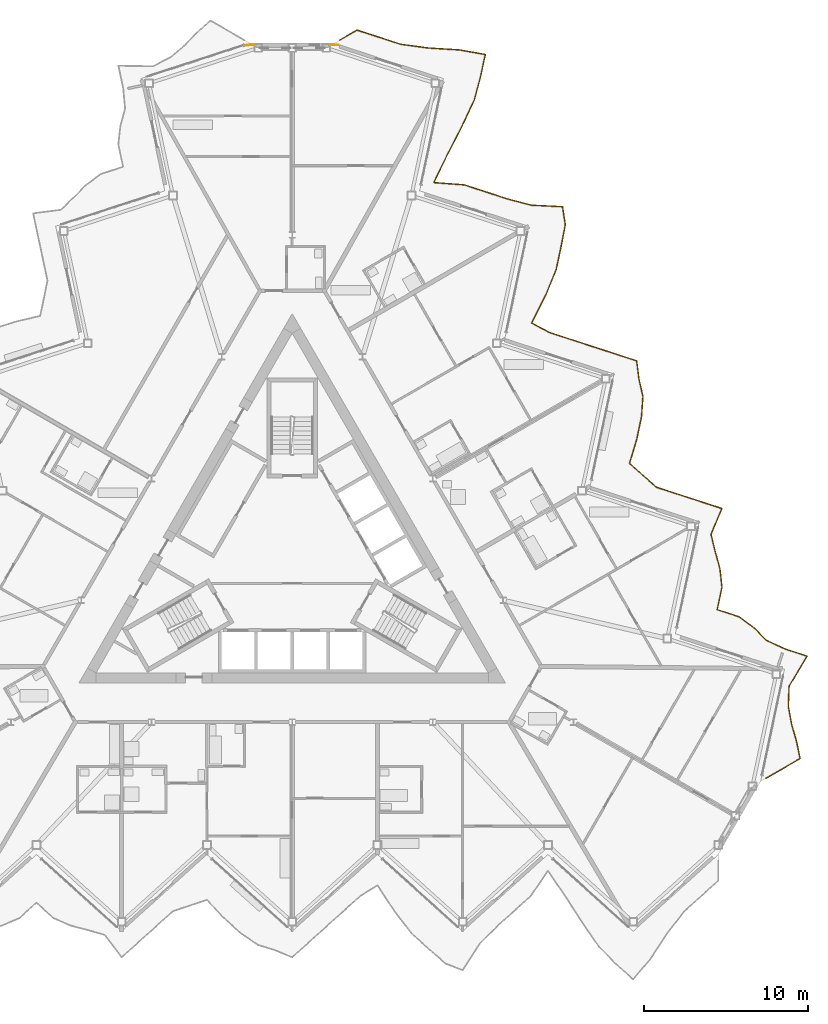
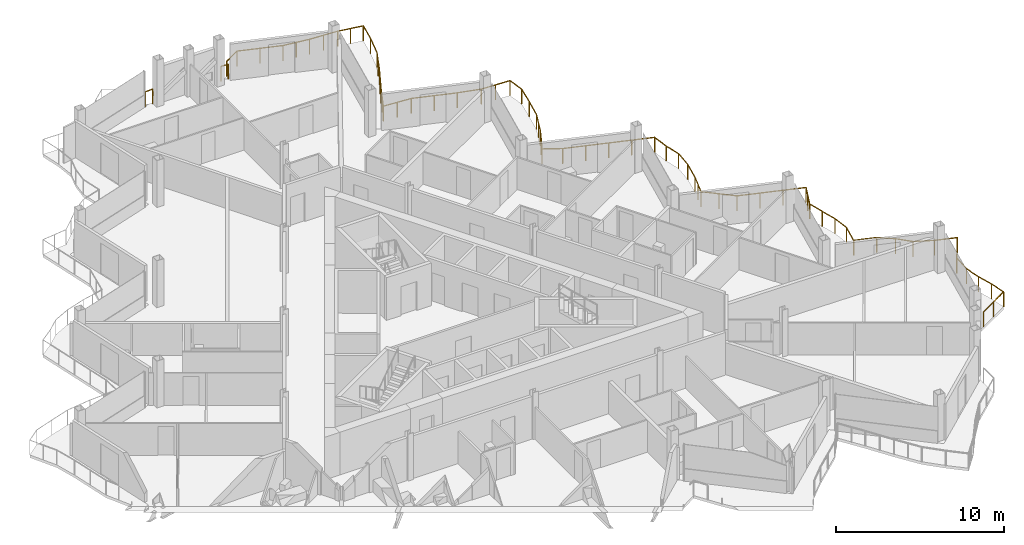
# One storey, part 24 of 26: 3 railings.
"""IFC4 building model written with IfcOpenShell, lengths in metres."""

import ifcopenshell
import ifcopenshell.guid

model = None  # the IFC model being written
_history = None  # IfcOwnerHistory: only IFC2X3 demands one
_inside = {}  # id of a spatial element -> (the spatial element, [elements in it])
_under = {}  # id of a project, library or spatial element -> (it, [spatial elements below it])
_declared = {}  # id of a project -> (the project, [libraries it declares])
_typed = {}  # id of a type object -> (the type object, [elements of that type])
_made_of = {}  # id of a material, layer set ... -> (it, [elements and type objects made of it])


def new_model(schema):
    """Start an empty IFC model of exactly this schema.

    Asked for "IFC4X3", IfcOpenShell would pick the latest addendum, in which some entities
    have other attributes; the version numbers below select the first issue.
    IFC2X3 requires an IfcOwnerHistory on every rooted entity: one is made here for all.
    """
    global model, _history
    if schema == "IFC4X3":
        model = ifcopenshell.file(schema_version=(4, 3, 0, 0))
    else:
        model = ifcopenshell.file(schema=schema)
    _inside.clear()
    _under.clear()
    _declared.clear()
    _typed.clear()
    _made_of.clear()
    _history = None
    if model.schema == "IFC2X3":
        org = make("IfcOrganization", Name="unknown")
        user = make(
            "IfcPersonAndOrganization",
            ThePerson=make("IfcPerson", FamilyName="unknown"),
            TheOrganization=org,
        )
        app = make(
            "IfcApplication",
            ApplicationDeveloper=org,
            Version="unknown",
            ApplicationFullName="unknown",
            ApplicationIdentifier="unknown",
        )
        _history = make(
            "IfcOwnerHistory",
            OwningUser=user,
            OwningApplication=app,
            ChangeAction="ADDED",
            CreationDate=0,
        )
    return model


def make(cls, **values):
    """One entity of the class cls with the attributes given. An attribute that is None is left unset."""
    return model.create_entity(
        cls, **{name: value for name, value in values.items() if value is not None}
    )


def rooted(cls, **values):
    """An entity with a GlobalId (a new one), such as an element, a storey or a relation."""
    return make(cls, GlobalId=ifcopenshell.guid.new(), OwnerHistory=_history, **values)


def si_unit(unit_type, name, prefix=None):
    """IfcSIUnit, for example si_unit("LENGTHUNIT", "METRE", prefix="MILLI")."""
    return make("IfcSIUnit", UnitType=unit_type, Prefix=prefix, Name=name)


def assignment(units):
    """IfcUnitAssignment: the units of a project."""
    return None if units is None else make("IfcUnitAssignment", Units=units)


def point(xyz):
    """IfcCartesianPoint."""
    return None if xyz is None else make("IfcCartesianPoint", Coordinates=xyz)


def direction(xyz):
    """IfcDirection."""
    return None if xyz is None else make("IfcDirection", DirectionRatios=xyz)


def frame(location, z_axis=None, x_axis=None):
    """IfcAxis2Placement3D, a coordinate frame: its origin and axes. An axis left out is left unset."""
    return make(
        "IfcAxis2Placement3D",
        Location=point(location),
        Axis=direction(z_axis),
        RefDirection=direction(x_axis),
    )


def frame_2d(location, x_axis=None):
    """IfcAxis2Placement2D, a coordinate frame in the plane: its origin and x axis."""
    return make(
        "IfcAxis2Placement2D", Location=point(location), RefDirection=direction(x_axis)
    )


def origin():
    """The frame at (0, 0, 0) with its axes left unset."""
    return frame((0.0, 0.0, 0.0))


def origin_2d():
    """The frame at (0, 0) in the plane with its x axis left unset."""
    return frame_2d((0.0, 0.0))


def place(relative_to, where):
    """IfcLocalPlacement: puts the frame where relative to a parent placement (None: the world)."""
    return make(
        "IfcLocalPlacement", PlacementRelTo=relative_to, RelativePlacement=where
    )


def context(
    kind, dimensions, precision=None, world=None, true_north=None, identifier=None
):
    """IfcGeometricRepresentationContext, for example the 3D "Model" context."""
    return make(
        "IfcGeometricRepresentationContext",
        ContextIdentifier=identifier,
        ContextType=kind,
        CoordinateSpaceDimension=dimensions,
        Precision=precision,
        WorldCoordinateSystem=world,
        TrueNorth=true_north,
    )


def subcontext(parent, identifier, kind, view, scale=None):
    """IfcGeometricRepresentationSubContext, for example "Body" below "Model"."""
    return make(
        "IfcGeometricRepresentationSubContext",
        ContextIdentifier=identifier,
        ContextType=kind,
        ParentContext=parent,
        TargetScale=scale,
        TargetView=view,
    )


def project(units=None, contexts=None):
    """IfcProject with its units and contexts."""
    return rooted(
        "IfcProject",
        Name="project",
        RepresentationContexts=contexts,
        UnitsInContext=assignment(units),
    )


def spatial(cls, under=None, at=None, **own):
    """A site, building, storey or space (cls), placed at a placement, below another one or the project."""
    s = rooted(cls, ObjectPlacement=at, **own)
    if under is not None:
        _under.setdefault(under.id(), (under, []))[1].append(s)
    return s


def profile(cls, at=None, kind="AREA", **sizes):
    """A parametric profile (cls). Its sizes go by their IFC names, for example OverallWidth=200.0."""
    return make(cls, ProfileType=kind, Position=at, **sizes)


def circle(**sizes):
    """IfcCircleProfileDef."""
    return profile("IfcCircleProfileDef", **sizes)


def extrude(swept, where, along, depth):
    """IfcExtrudedAreaSolid: the profile swept, set in the frame where, extruded along a direction by depth."""
    return make(
        "IfcExtrudedAreaSolid",
        SweptArea=swept,
        Position=where,
        ExtrudedDirection=direction(along),
        Depth=depth,
    )


def shape(context_of_items, identifier, shape_type, items):
    """IfcShapeRepresentation: the items that make up one representation, for example the "Body"."""
    return make(
        "IfcShapeRepresentation",
        ContextOfItems=context_of_items,
        RepresentationIdentifier=identifier,
        RepresentationType=shape_type,
        Items=items,
    )


def material(Name=None, Category=None):
    """IfcMaterial."""
    return make("IfcMaterial", Name=Name, Category=Category)


def made_of(thing, what):
    """Note that an element or type object is made of a material, layer set ...; save() writes the relation."""
    if what is not None:
        _made_of.setdefault(what.id(), (what, []))[1].append(thing)
    return thing


def type_object(cls, material=None, **own):
    """A type object (cls), such as IfcWallType, which elements share."""
    return made_of(rooted(cls, **own), material)


def element(
    cls,
    number,
    at=None,
    inside=None,
    cuts=None,
    type_object=None,
    material=None,
    context=None,
    identifier="Body",
    shape_type=None,
    held_by="IfcProductDefinitionShape",
    body=None,
    shapes=None,
    **own,
):
    """One element of the class cls, such as IfcWall. Its Tag is "e" and its number.

    at: its placement. inside: the storey or other place that contains it. cuts: it is an
    opening in that element (IfcRelVoidsElement). A single representation is given by context,
    identifier, shape_type and body (its items); several are given by shapes. held_by: the class
    of the entity that holds the representations. save() writes the other relations.
    """
    e = rooted(cls, Tag="e%d" % number, ObjectPlacement=at, **own)
    if body is not None:
        shapes = [shape(context, identifier, shape_type, body)]
    if shapes is not None:
        e.Representation = make(held_by, Representations=shapes)
    if inside is not None:
        _inside.setdefault(inside.id(), (inside, []))[1].append(e)
    if cuts is not None:
        rooted(
            "IfcRelVoidsElement", RelatingBuildingElement=cuts, RelatedOpeningElement=e
        )
    if type_object is not None:
        _typed.setdefault(type_object.id(), (type_object, []))[1].append(e)
    return made_of(e, material)


def aggregate(whole, parts):
    """IfcRelAggregates: a whole, such as a stair, and the parts it consists of."""
    return rooted("IfcRelAggregates", RelatingObject=whole, RelatedObjects=parts)


def save(model, path):
    """Write the relations noted so far, then the file.

    IfcRelAggregates (storeys below a building ...), IfcRelContainedInSpatialStructure (elements
    in a storey), IfcRelDefinesByType, IfcRelAssociatesMaterial and IfcRelDeclares: one each for
    every whole, place, type object, material and project.
    """
    for whole, parts in _under.values():
        aggregate(whole, parts)
    for where, things in _inside.values():
        rooted(
            "IfcRelContainedInSpatialStructure",
            RelatedElements=things,
            RelatingStructure=where,
        )
    for kind, things in _typed.values():
        rooted("IfcRelDefinesByType", RelatedObjects=things, RelatingType=kind)
    for what, things in _made_of.values():
        rooted("IfcRelAssociatesMaterial", RelatedObjects=things, RelatingMaterial=what)
    for by, libraries in _declared.values():
        rooted("IfcRelDeclares", RelatingContext=by, RelatedDefinitions=libraries)
    model.write(path)


model = new_model("IFC4")

# Units and contexts
model_context = context("Model", 3, precision=1e-05, world=origin(), true_north=direction((0.0, 1.0)))
body_context = subcontext(model_context, "Body", "Model", "MODEL_VIEW")
ifc_project = project(units=[si_unit("LENGTHUNIT", "METRE"), si_unit("AREAUNIT", "SQUARE_METRE"), si_unit("VOLUMEUNIT", "CUBIC_METRE"), si_unit("PLANEANGLEUNIT", "RADIAN"), si_unit("MASSUNIT", "GRAM", prefix="KILO")], contexts=[model_context])

# Site, building, storey
site_placement = place(None, origin())
site = spatial("IfcSite", under=ifc_project, at=site_placement, CompositionType="ELEMENT")
building_placement = place(site_placement, origin())
building = spatial("IfcBuilding", under=site, at=building_placement, Name="Cormorant Prow Tower", CompositionType="ELEMENT")
storey_placement = place(building_placement, frame((0.0, 0.0, 374.60009765625)))
storey = spatial("IfcBuildingStorey", under=building, at=storey_placement, Name="L84", CompositionType="ELEMENT", Elevation=374.60009765625)

# Railings
ifc_material_1 = material(Name="Aluminium 6063-T6", Category="aluminium")
railing_type_1 = type_object("IfcRailingType", Name="Balcony guard 1100", PredefinedType="GUARDRAIL", material=ifc_material_1)
railing_1_placement = place(storey_placement, frame((28.9033203125, -13.3349609375, 0.0)))
element("IfcRailing", 1, at=railing_1_placement, inside=storey, type_object=railing_type_1, Name="Balcony guard ENE", PredefinedType="GUARDRAIL", context=body_context, shape_type="SweptSolid", body=[
    extrude(circle(Radius=0.02392578125, at=origin_2d()), frame((0.0, 0.0, 1.076171875), z_axis=(0.866028295127, 0.499994992015, 0.0), x_axis=(-0.499994992015, 0.866028295127, 0.0)), (0.0, 0.0, 1.0), 2.40380859375),
    extrude(circle(Radius=0.02392578125, at=origin_2d()), frame((2.081787109375, 1.201904296875, 1.076171875), z_axis=(-0.202325602869, 0.979318309041, 0.0), x_axis=(-0.979318309041, -0.202325602869, 0.0)), (0.0, 0.0, 1.0), 1.095703125),
    extrude(circle(Radius=0.02392578125, at=origin_2d()), frame((1.860107421875, 2.27490234375, 1.076171875), z_axis=(-0.276104892349, 0.961127508929, 0.0), x_axis=(-0.961127508929, -0.276104892349, 0.0)), (0.0, 0.0, 1.0), 1.07177734375),
    extrude(circle(Radius=0.02392578125, at=origin_2d()), frame((1.564208984375, 3.304931640625, 1.076171875), z_axis=(-0.179041046947, 0.983841604888, 0.0), x_axis=(-0.983841604888, -0.179041046947, 0.0)), (0.0, 0.0, 1.0), 1.1044921875),
    extrude(circle(Radius=0.02392578125, at=origin_2d()), frame((1.366455078125, 4.3916015625, 1.076171875), z_axis=(0.036393784558, 0.999337526787, 0.0), x_axis=(-0.999337526787, 0.036393784558, 0.0)), (0.0, 0.0, 1.0), 1.2275390625),
    extrude(circle(Radius=0.02392578125, at=origin_2d()), frame((1.4111328125, 5.618408203125, 1.076171875), z_axis=(0.513992423675, 0.857794723932, 0.0), x_axis=(-0.857794723932, 0.513992423675, 0.0)), (0.0, 0.0, 1.0), 2.140380859375),
    extrude(circle(Radius=0.02392578125, at=origin_2d()), frame((2.51123046875, 7.454345703125, 1.076171875), z_axis=(-0.951012270488, 0.309153135811, 0.0), x_axis=(-0.309153135811, -0.951012270488, 0.0)), (0.0, 0.0, 1.0), 1.3994140625),
    extrude(circle(Radius=0.02392578125, at=origin_2d()), frame((1.180419921875, 7.886962890625, 1.076171875), z_axis=(-0.908513727813, 0.417855006402, 0.0), x_axis=(-0.417855006402, -0.908513727813, 0.0)), (0.0, 0.0, 1.0), 1.2744140625),
    extrude(circle(Radius=0.02392578125, at=origin_2d()), frame((0.022705078125, 8.41943359375, 1.076171875), z_axis=(-0.702205596006, 0.71197422772, 0.0), x_axis=(-0.71197422772, -0.702205596006, 0.0)), (0.0, 0.0, 1.0), 1.07470703125),
    extrude(circle(Radius=0.02392578125, at=origin_2d()), frame((-0.73193359375, 9.1845703125, 1.076171875), z_axis=(-0.803679218866, 0.595062780859, 0.0), x_axis=(-0.595062780859, -0.803679218866, 0.0)), (0.0, 0.0, 1.0), 1.134033203125),
    extrude(circle(Radius=0.02392578125, at=origin_2d()), frame((-1.643310546875, 9.859375, 1.076171875), z_axis=(-0.951080208938, 0.308944066403, 0.0), x_axis=(-0.308944066403, -0.951080208938, 0.0)), (0.0, 0.0, 1.0), 1.3994140625),
    extrude(circle(Radius=0.02392578125, at=origin_2d()), frame((-2.974365234375, 10.291748046875, 1.076171875), z_axis=(0.207944297815, 0.978140669335, 0.0), x_axis=(-0.978140669335, 0.207944297815, 0.0)), (0.0, 0.0, 1.0), 1.3994140625),
    extrude(circle(Radius=0.02392578125, at=origin_2d()), frame((-2.683349609375, 11.66064453125, 1.076171875), z_axis=(-0.109629324319, 0.993972540491, 0.0), x_axis=(-0.993972540491, -0.109629324319, 0.0)), (0.0, 0.0, 1.0), 1.1357421875),
    extrude(circle(Radius=0.02392578125, at=origin_2d()), frame((-2.807861328125, 12.78955078125, 1.076171875), z_axis=(-0.265019247186, 0.964243122154, 0.0), x_axis=(-0.964243122154, -0.265019247186, 0.0)), (0.0, 0.0, 1.0), 1.074951171875),
    extrude(circle(Radius=0.02392578125, at=origin_2d()), frame((-3.0927734375, 13.826171875, 1.076171875), z_axis=(-0.240942814377, 0.970539314093, 0.0), x_axis=(-0.970539314093, -0.240942814377, 0.0)), (0.0, 0.0, 1.0), 1.082275390625),
    extrude(circle(Radius=0.02392578125, at=origin_2d()), frame((-3.353515625, 14.87646484375, 1.076171875), z_axis=(0.386843594076, 0.922145343057, 0.0), x_axis=(-0.922145343057, 0.386843594076, 0.0)), (0.0, 0.0, 1.0), 1.718505859375),
    extrude(circle(Radius=0.02392578125, at=origin_2d()), frame((-2.688720703125, 16.461181640625, 1.076171875), z_axis=(-0.951063554534, 0.308995332064, 0.0), x_axis=(-0.308995332064, -0.951063554534, 0.0)), (0.0, 0.0, 1.0), 1.399169921875),
    extrude(circle(Radius=0.02392578125, at=origin_2d()), frame((-4.01953125, 16.8935546875, 1.076171875), z_axis=(-0.951080208938, 0.308944066403, 0.0), x_axis=(-0.308944066403, -0.951080208938, 0.0)), (0.0, 0.0, 1.0), 1.3994140625),
    extrude(circle(Radius=0.02392578125, at=origin_2d()), frame((-5.3505859375, 17.325927734375, 1.076171875), z_axis=(-0.951028941009, 0.309101849499, 0.0), x_axis=(-0.309101849499, -0.951028941009, 0.0)), (0.0, 0.0, 1.0), 1.399658203125),
    extrude(circle(Radius=0.02392578125, at=origin_2d()), frame((-6.681640625, 17.758544921875, 1.076171875), z_axis=(-0.749896296712, 0.661555397663, 0.0), x_axis=(-0.661555397663, -0.749896296712, 0.0)), (0.0, 0.0, 1.0), 1.09716796875),
    extrude(circle(Radius=0.02392578125, at=origin_2d()), frame((-7.50439453125, 18.484375, 1.076171875), z_axis=(-0.746202638574, 0.665718876242, 0.0), x_axis=(-0.665718876242, -0.746202638574, 0.0)), (0.0, 0.0, 1.0), 1.094970703125),
    extrude(circle(Radius=0.02392578125, at=origin_2d()), frame((-8.321533203125, 19.21337890625, 1.076171875), z_axis=(0.288601434171, 0.957449326176, 0.0), x_axis=(-0.957449326176, 0.288601434171, 0.0)), (0.0, 0.0, 1.0), 1.5185546875),
    extrude(circle(Radius=0.02392578125, at=origin_2d()), frame((-7.88330078125, 20.667236328125, 1.076171875), z_axis=(0.20777738218, 0.978176139279, 0.0), x_axis=(-0.978176139279, 0.20777738218, 0.0)), (0.0, 0.0, 1.0), 1.3994140625),
    extrude(circle(Radius=0.02392578125, at=origin_2d()), frame((-7.592529296875, 22.0361328125, 1.076171875), z_axis=(0.0707909509, 0.99749117353, 0.0), x_axis=(-0.99749117353, 0.0707909509, 0.0)), (0.0, 0.0, 1.0), 1.25537109375),
    extrude(circle(Radius=0.02392578125, at=origin_2d()), frame((-7.503662109375, 23.288330078125, 1.076171875), z_axis=(-0.221795575356, 0.975093186702, 0.0), x_axis=(-0.975093186702, -0.221795575356, 0.0)), (0.0, 0.0, 1.0), 1.088623046875),
    extrude(circle(Radius=0.02392578125, at=origin_2d()), frame((-7.7451171875, 24.349853515625, 1.076171875), z_axis=(-0.127366491719, 0.991855723776, 0.0), x_axis=(-0.991855723776, -0.127366491719, 0.0)), (0.0, 0.0, 1.0), 1.127197265625),
    extrude(circle(Radius=0.02392578125, at=origin_2d()), frame((-7.888671875, 25.4677734375, 1.076171875), z_axis=(-0.951080208938, 0.308944066403, 0.0), x_axis=(-0.308944066403, -0.951080208938, 0.0)), (0.0, 0.0, 1.0), 1.3994140625),
    extrude(circle(Radius=0.02392578125, at=origin_2d()), frame((-9.2197265625, 25.900146484375, 1.076171875), z_axis=(-0.951012270488, 0.309153135811, 0.0), x_axis=(-0.309153135811, -0.951012270488, 0.0)), (0.0, 0.0, 1.0), 1.3994140625),
    extrude(circle(Radius=0.02392578125, at=origin_2d()), frame((-10.550537109375, 26.332763671875, 1.076171875), z_axis=(-0.951080208938, 0.308944066403, 0.0), x_axis=(-0.308944066403, -0.951080208938, 0.0)), (0.0, 0.0, 1.0), 1.3994140625),
    extrude(circle(Radius=0.02392578125, at=origin_2d()), frame((-11.881591796875, 26.76513671875, 1.076171875), z_axis=(-0.951063554534, 0.308995332064, 0.0), x_axis=(-0.308995332064, -0.951063554534, 0.0)), (0.0, 0.0, 1.0), 1.399169921875),
    extrude(circle(Radius=0.02392578125, at=origin_2d()), frame((-13.21240234375, 27.197509765625, 1.076171875), z_axis=(-0.88112376945, 0.472885718658, 0.0), x_axis=(-0.472885718658, -0.88112376945, 0.0)), (0.0, 0.0, 1.0), 1.2236328125),
    extrude(circle(Radius=0.02392578125, at=origin_2d()), frame((-14.29052734375, 27.776123046875, 1.076171875), z_axis=(0.451217643657, 0.892413938737, 0.0), x_axis=(-0.892413938737, 0.451217643657, 0.0)), (0.0, 0.0, 1.0), 1.900146484375),
    extrude(circle(Radius=0.02392578125, at=origin_2d()), frame((-13.43310546875, 29.471923828125, 1.076171875), z_axis=(0.377635149008, 0.925954477409, 0.0), x_axis=(-0.925954477409, 0.377635149008, 0.0)), (0.0, 0.0, 1.0), 1.696533203125),
    extrude(circle(Radius=0.02392578125, at=origin_2d()), frame((-12.79248046875, 31.042724609375, 1.076171875), z_axis=(0.207944297815, 0.978140669335, 0.0), x_axis=(-0.978140669335, 0.207944297815, 0.0)), (0.0, 0.0, 1.0), 1.3994140625),
    extrude(circle(Radius=0.02392578125, at=origin_2d()), frame((-12.50146484375, 32.41162109375, 1.076171875), z_axis=(0.190181724956, 0.981748904503, 0.0), x_axis=(-0.981748904503, 0.190181724956, 0.0)), (0.0, 0.0, 1.0), 1.37744140625),
    extrude(circle(Radius=0.02392578125, at=origin_2d()), frame((-12.239501953125, 33.763916015625, 1.076171875), z_axis=(-0.15020043655, 0.988655566343, 0.0), x_axis=(-0.988655566343, -0.15020043655, 0.0)), (0.0, 0.0, 1.0), 1.11669921875),
    extrude(circle(Radius=0.02392578125, at=origin_2d()), frame((-12.4072265625, 34.867919921875, 1.076171875), z_axis=(-0.998745657761, 0.050071060531, 0.0), x_axis=(-0.050071060531, -0.998745657761, 0.0)), (0.0, 0.0, 1.0), 1.916259765625),
    extrude(circle(Radius=0.02392578125, at=origin_2d()), frame((-14.321044921875, 34.9638671875, 1.076171875), z_axis=(-0.96719850901, 0.254021739559, 0.0), x_axis=(-0.254021739559, -0.96719850901, 0.0)), (0.0, 0.0, 1.0), 1.478271484375),
    extrude(circle(Radius=0.02392578125, at=origin_2d()), frame((-15.750732421875, 35.33935546875, 1.076171875), z_axis=(-0.951063554534, 0.308995332064, 0.0), x_axis=(-0.308995332064, -0.951063554534, 0.0)), (0.0, 0.0, 1.0), 1.399169921875),
    extrude(circle(Radius=0.02392578125, at=origin_2d()), frame((-17.08154296875, 35.771728515625, 1.076171875), z_axis=(-0.951028941009, 0.309101849499, 0.0), x_axis=(-0.309101849499, -0.951028941009, 0.0)), (0.0, 0.0, 1.0), 1.399658203125),
    extrude(circle(Radius=0.02392578125, at=origin_2d()), frame((-18.41259765625, 36.204345703125, 1.076171875), z_axis=(-0.997259818813, 0.073978738712, 0.0), x_axis=(-0.073978738712, -0.997259818813, 0.0)), (0.0, 0.0, 1.0), 1.84814453125),
    extrude(circle(Radius=0.02392578125, at=origin_2d()), frame((-20.255615234375, 36.341064453125, 1.076171875), z_axis=(0.433887187324, 0.900967207326, 0.0), x_axis=(-0.900967207326, 0.433887187324, 0.0)), (0.0, 0.0, 1.0), 1.84619140625),
    extrude(circle(Radius=0.02392578125, at=origin_2d()), frame((-19.45458984375, 38.00439453125, 1.076171875), z_axis=(0.457304922398, 0.889309961684, 0.0), x_axis=(-0.889309961684, 0.457304922398, 0.0)), (0.0, 0.0, 1.0), 1.92041015625),
    extrude(circle(Radius=0.02392578125, at=origin_2d()), frame((-18.576416015625, 39.712158203125, 1.076171875), z_axis=(0.427828029535, 0.903860153533, 0.0), x_axis=(-0.903860153533, 0.427828029535, 0.0)), (0.0, 0.0, 1.0), 1.828369140625),
    extrude(circle(Radius=0.02392578125, at=origin_2d()), frame((-17.794189453125, 41.36474609375, 1.076171875), z_axis=(0.260466628083, 0.965482851042, 0.0), x_axis=(-0.965482851042, 0.260466628083, 0.0)), (0.0, 0.0, 1.0), 1.473388671875),
    extrude(circle(Radius=0.02392578125, at=origin_2d()), frame((-17.410400390625, 42.787353515625, 1.076171875), z_axis=(0.207812845083, 0.978168605823, 0.0), x_axis=(-0.978168605823, 0.207812845083, 0.0)), (0.0, 0.0, 1.0), 1.399169921875),
    extrude(circle(Radius=0.02392578125, at=origin_2d()), frame((-17.11962890625, 44.156005859375, 1.076171875), z_axis=(-0.984969623466, 0.172727649348, 0.0), x_axis=(-0.172727649348, -0.984969623466, 0.0)), (0.0, 0.0, 1.0), 1.619873046875),
    extrude(circle(Radius=0.02392578125, at=origin_2d()), frame((-18.715087890625, 44.435791015625, 1.076171875), z_axis=(-0.998119075428, 0.061305067222, 0.0), x_axis=(-0.061305067222, -0.998119075428, 0.0)), (0.0, 0.0, 1.0), 1.8837890625),
    extrude(circle(Radius=0.02392578125, at=origin_2d()), frame((-20.59521484375, 44.55126953125, 1.076171875), z_axis=(-0.991040222336, 0.133563758974, 0.0), x_axis=(-0.133563758974, -0.991040222336, 0.0)), (0.0, 0.0, 1.0), 1.70166015625),
    extrude(circle(Radius=0.02392578125, at=origin_2d()), frame((-22.28173828125, 44.778564453125, 1.076171875), z_axis=(-0.951063554534, 0.308995332064, 0.0), x_axis=(-0.308995332064, -0.951063554534, 0.0)), (0.0, 0.0, 1.0), 1.399169921875),
    extrude(circle(Radius=0.02392578125, at=origin_2d()), frame((-23.612548828125, 45.2109375, 1.076171875), z_axis=(-0.951080208938, 0.308944066403, 0.0), x_axis=(-0.308944066403, -0.951080208938, 0.0)), (0.0, 0.0, 1.0), 1.3994140625),
    extrude(circle(Radius=0.02392578125, at=origin_2d()), frame((-24.943603515625, 45.643310546875, 1.076171875), z_axis=(-0.866042269935, -0.499970785833, 0.0), x_axis=(0.499970785833, -0.866042269935, 0.0)), (0.0, 0.0, 1.0), 1.2197265625),
    extrude(circle(Radius=0.02099609375, at=origin_2d()), origin(), (0.0, 0.0, 1.0), 1.052001953125),
    extrude(circle(Radius=0.02099609375, at=origin_2d()), frame((1.041015625, 0.60107421875, 0.0)), (0.0, 0.0, 1.0), 1.052001953125),
    extrude(circle(Radius=0.02099609375, at=origin_2d()), frame((2.081787109375, 1.201904296875, 0.0)), (0.0, 0.0, 1.0), 1.052001953125),
    extrude(circle(Radius=0.02099609375, at=origin_2d()), frame((1.860107421875, 2.27490234375, 0.0)), (0.0, 0.0, 1.0), 1.052001953125),
    extrude(circle(Radius=0.02099609375, at=origin_2d()), frame((1.564208984375, 3.304931640625, 0.0)), (0.0, 0.0, 1.0), 1.052001953125),
    extrude(circle(Radius=0.02099609375, at=origin_2d()), frame((1.366455078125, 4.3916015625, 0.0)), (0.0, 0.0, 1.0), 1.052001953125),
    extrude(circle(Radius=0.02099609375, at=origin_2d()), frame((1.4111328125, 5.618408203125, 0.0)), (0.0, 0.0, 1.0), 1.052001953125),
    extrude(circle(Radius=0.02099609375, at=origin_2d()), frame((1.961181640625, 6.536376953125, 0.0)), (0.0, 0.0, 1.0), 1.052001953125),
    extrude(circle(Radius=0.02099609375, at=origin_2d()), frame((2.51123046875, 7.454345703125, 0.0)), (0.0, 0.0, 1.0), 1.052001953125),
    extrude(circle(Radius=0.02099609375, at=origin_2d()), frame((1.180419921875, 7.886962890625, 0.0)), (0.0, 0.0, 1.0), 1.052001953125),
    extrude(circle(Radius=0.02099609375, at=origin_2d()), frame((0.022705078125, 8.41943359375, 0.0)), (0.0, 0.0, 1.0), 1.052001953125),
    extrude(circle(Radius=0.02099609375, at=origin_2d()), frame((-0.73193359375, 9.1845703125, 0.0)), (0.0, 0.0, 1.0), 1.052001953125),
    extrude(circle(Radius=0.02099609375, at=origin_2d()), frame((-1.643310546875, 9.859375, 0.0)), (0.0, 0.0, 1.0), 1.052001953125),
    extrude(circle(Radius=0.02099609375, at=origin_2d()), frame((-2.974365234375, 10.291748046875, 0.0)), (0.0, 0.0, 1.0), 1.052001953125),
    extrude(circle(Radius=0.02099609375, at=origin_2d()), frame((-2.683349609375, 11.66064453125, 0.0)), (0.0, 0.0, 1.0), 1.052001953125),
    extrude(circle(Radius=0.02099609375, at=origin_2d()), frame((-2.807861328125, 12.78955078125, 0.0)), (0.0, 0.0, 1.0), 1.052001953125),
    extrude(circle(Radius=0.02099609375, at=origin_2d()), frame((-3.0927734375, 13.826171875, 0.0)), (0.0, 0.0, 1.0), 1.052001953125),
    extrude(circle(Radius=0.02099609375, at=origin_2d()), frame((-3.353515625, 14.87646484375, 0.0)), (0.0, 0.0, 1.0), 1.052001953125),
    extrude(circle(Radius=0.02099609375, at=origin_2d()), frame((-3.02099609375, 15.6689453125, 0.0)), (0.0, 0.0, 1.0), 1.052001953125),
    extrude(circle(Radius=0.02099609375, at=origin_2d()), frame((-2.688720703125, 16.461181640625, 0.0)), (0.0, 0.0, 1.0), 1.052001953125),
    extrude(circle(Radius=0.02099609375, at=origin_2d()), frame((-4.01953125, 16.8935546875, 0.0)), (0.0, 0.0, 1.0), 1.052001953125),
    extrude(circle(Radius=0.02099609375, at=origin_2d()), frame((-5.3505859375, 17.325927734375, 0.0)), (0.0, 0.0, 1.0), 1.052001953125),
    extrude(circle(Radius=0.02099609375, at=origin_2d()), frame((-6.681640625, 17.758544921875, 0.0)), (0.0, 0.0, 1.0), 1.052001953125),
    extrude(circle(Radius=0.02099609375, at=origin_2d()), frame((-7.50439453125, 18.484375, 0.0)), (0.0, 0.0, 1.0), 1.052001953125),
    extrude(circle(Radius=0.02099609375, at=origin_2d()), frame((-8.321533203125, 19.21337890625, 0.0)), (0.0, 0.0, 1.0), 1.052001953125),
    extrude(circle(Radius=0.02099609375, at=origin_2d()), frame((-8.1025390625, 19.9404296875, 0.0)), (0.0, 0.0, 1.0), 1.052001953125),
    extrude(circle(Radius=0.02099609375, at=origin_2d()), frame((-7.88330078125, 20.667236328125, 0.0)), (0.0, 0.0, 1.0), 1.052001953125),
    extrude(circle(Radius=0.02099609375, at=origin_2d()), frame((-7.592529296875, 22.0361328125, 0.0)), (0.0, 0.0, 1.0), 1.052001953125),
    extrude(circle(Radius=0.02099609375, at=origin_2d()), frame((-7.503662109375, 23.288330078125, 0.0)), (0.0, 0.0, 1.0), 1.052001953125),
    extrude(circle(Radius=0.02099609375, at=origin_2d()), frame((-7.7451171875, 24.349853515625, 0.0)), (0.0, 0.0, 1.0), 1.052001953125),
    extrude(circle(Radius=0.02099609375, at=origin_2d()), frame((-7.888671875, 25.4677734375, 0.0)), (0.0, 0.0, 1.0), 1.052001953125),
    extrude(circle(Radius=0.02099609375, at=origin_2d()), frame((-9.2197265625, 25.900146484375, 0.0)), (0.0, 0.0, 1.0), 1.052001953125),
    extrude(circle(Radius=0.02099609375, at=origin_2d()), frame((-10.550537109375, 26.332763671875, 0.0)), (0.0, 0.0, 1.0), 1.052001953125),
    extrude(circle(Radius=0.02099609375, at=origin_2d()), frame((-11.881591796875, 26.76513671875, 0.0)), (0.0, 0.0, 1.0), 1.052001953125),
    extrude(circle(Radius=0.02099609375, at=origin_2d()), frame((-13.21240234375, 27.197509765625, 0.0)), (0.0, 0.0, 1.0), 1.052001953125),
    extrude(circle(Radius=0.02099609375, at=origin_2d()), frame((-14.29052734375, 27.776123046875, 0.0)), (0.0, 0.0, 1.0), 1.052001953125),
    extrude(circle(Radius=0.02099609375, at=origin_2d()), frame((-13.86181640625, 28.6240234375, 0.0)), (0.0, 0.0, 1.0), 1.052001953125),
    extrude(circle(Radius=0.02099609375, at=origin_2d()), frame((-13.43310546875, 29.471923828125, 0.0)), (0.0, 0.0, 1.0), 1.052001953125),
    extrude(circle(Radius=0.02099609375, at=origin_2d()), frame((-13.11279296875, 30.25732421875, 0.0)), (0.0, 0.0, 1.0), 1.052001953125),
    extrude(circle(Radius=0.02099609375, at=origin_2d()), frame((-12.79248046875, 31.042724609375, 0.0)), (0.0, 0.0, 1.0), 1.052001953125),
    extrude(circle(Radius=0.02099609375, at=origin_2d()), frame((-12.50146484375, 32.41162109375, 0.0)), (0.0, 0.0, 1.0), 1.052001953125),
    extrude(circle(Radius=0.02099609375, at=origin_2d()), frame((-12.239501953125, 33.763916015625, 0.0)), (0.0, 0.0, 1.0), 1.052001953125),
    extrude(circle(Radius=0.02099609375, at=origin_2d()), frame((-12.4072265625, 34.867919921875, 0.0)), (0.0, 0.0, 1.0), 1.052001953125),
    extrude(circle(Radius=0.02099609375, at=origin_2d()), frame((-13.3642578125, 34.916015625, 0.0)), (0.0, 0.0, 1.0), 1.052001953125),
    extrude(circle(Radius=0.02099609375, at=origin_2d()), frame((-14.321044921875, 34.9638671875, 0.0)), (0.0, 0.0, 1.0), 1.052001953125),
    extrude(circle(Radius=0.02099609375, at=origin_2d()), frame((-15.750732421875, 35.33935546875, 0.0)), (0.0, 0.0, 1.0), 1.052001953125),
    extrude(circle(Radius=0.02099609375, at=origin_2d()), frame((-17.08154296875, 35.771728515625, 0.0)), (0.0, 0.0, 1.0), 1.052001953125),
    extrude(circle(Radius=0.02099609375, at=origin_2d()), frame((-18.41259765625, 36.204345703125, 0.0)), (0.0, 0.0, 1.0), 1.052001953125),
    extrude(circle(Radius=0.02099609375, at=origin_2d()), frame((-19.333984375, 36.272705078125, 0.0)), (0.0, 0.0, 1.0), 1.052001953125),
    extrude(circle(Radius=0.02099609375, at=origin_2d()), frame((-20.255615234375, 36.341064453125, 0.0)), (0.0, 0.0, 1.0), 1.052001953125),
    extrude(circle(Radius=0.02099609375, at=origin_2d()), frame((-19.85498046875, 37.1728515625, 0.0)), (0.0, 0.0, 1.0), 1.052001953125),
    extrude(circle(Radius=0.02099609375, at=origin_2d()), frame((-19.45458984375, 38.00439453125, 0.0)), (0.0, 0.0, 1.0), 1.052001953125),
    extrude(circle(Radius=0.02099609375, at=origin_2d()), frame((-19.015625, 38.8583984375, 0.0)), (0.0, 0.0, 1.0), 1.052001953125),
    extrude(circle(Radius=0.02099609375, at=origin_2d()), frame((-18.576416015625, 39.712158203125, 0.0)), (0.0, 0.0, 1.0), 1.052001953125),
    extrude(circle(Radius=0.02099609375, at=origin_2d()), frame((-18.185302734375, 40.53857421875, 0.0)), (0.0, 0.0, 1.0), 1.052001953125),
    extrude(circle(Radius=0.02099609375, at=origin_2d()), frame((-17.794189453125, 41.36474609375, 0.0)), (0.0, 0.0, 1.0), 1.052001953125),
    extrude(circle(Radius=0.02099609375, at=origin_2d()), frame((-17.410400390625, 42.787353515625, 0.0)), (0.0, 0.0, 1.0), 1.052001953125),
    extrude(circle(Radius=0.02099609375, at=origin_2d()), frame((-17.11962890625, 44.156005859375, 0.0)), (0.0, 0.0, 1.0), 1.052001953125),
    extrude(circle(Radius=0.02099609375, at=origin_2d()), frame((-17.91748046875, 44.2958984375, 0.0)), (0.0, 0.0, 1.0), 1.052001953125),
    extrude(circle(Radius=0.02099609375, at=origin_2d()), frame((-18.715087890625, 44.435791015625, 0.0)), (0.0, 0.0, 1.0), 1.052001953125),
    extrude(circle(Radius=0.02099609375, at=origin_2d()), frame((-19.6552734375, 44.49365234375, 0.0)), (0.0, 0.0, 1.0), 1.052001953125),
    extrude(circle(Radius=0.02099609375, at=origin_2d()), frame((-20.59521484375, 44.55126953125, 0.0)), (0.0, 0.0, 1.0), 1.052001953125),
    extrude(circle(Radius=0.02099609375, at=origin_2d()), frame((-21.4384765625, 44.6650390625, 0.0)), (0.0, 0.0, 1.0), 1.052001953125),
    extrude(circle(Radius=0.02099609375, at=origin_2d()), frame((-22.28173828125, 44.778564453125, 0.0)), (0.0, 0.0, 1.0), 1.052001953125),
    extrude(circle(Radius=0.02099609375, at=origin_2d()), frame((-23.612548828125, 45.2109375, 0.0)), (0.0, 0.0, 1.0), 1.052001953125),
    extrude(circle(Radius=0.02099609375, at=origin_2d()), frame((-24.943603515625, 45.643310546875, 0.0)), (0.0, 0.0, 1.0), 1.052001953125),
    extrude(circle(Radius=0.02099609375, at=origin_2d()), frame((-26.0, 45.033447265625, 0.0)), (0.0, 0.0, 1.0), 1.052001953125),
])
ifc_material_2 = material(Name="Stainless steel", Category="steel")
railing_type_2 = type_object("IfcRailingType", Name="Facade corner guard 1100", PredefinedType="GUARDRAIL", material=ifc_material_2)
railing_2_placement = place(storey_placement, frame((-2.85595703125, 31.3720703125, 0.0)))
element("IfcRailing", 2, at=railing_2_placement, inside=storey, type_object=railing_type_2, Name="Facade corner guard L84 1", PredefinedType="GUARDRAIL", context=body_context, shape_type="SweptSolid", body=[
    extrude(circle(Radius=0.02392578125, at=origin_2d()), frame((0.0, 0.0, 1.076171875), z_axis=(0.996809232767, 0.079820758391, 0.0), x_axis=(-0.079820758391, 0.996809232767, 0.0)), (0.0, 0.0, 1.0), 0.513916015625),
    extrude(circle(Radius=0.02099609375, at=origin_2d()), origin(), (0.0, 0.0, 1.0), 1.052001953125),
    extrude(circle(Radius=0.02099609375, at=origin_2d()), frame((0.51220703125, 0.041015625, 0.0)), (0.0, 0.0, 1.0), 1.052001953125),
])
railing_3_placement = place(storey_placement, frame((2.34375, 31.410400390625, 0.0)))
element("IfcRailing", 3, at=railing_3_placement, inside=storey, type_object=railing_type_2, Name="Facade corner guard L84 2", PredefinedType="GUARDRAIL", context=body_context, shape_type="SweptSolid", body=[
    extrude(circle(Radius=0.02392578125, at=origin_2d()), frame((0.0, 0.0, 1.076171875), z_axis=(0.999217664146, -0.039548194122, 0.0), x_axis=(0.039548194122, 0.999217664146, 0.0)), (0.0, 0.0, 1.0), 0.48779296875),
    extrude(circle(Radius=0.02099609375, at=origin_2d()), origin(), (0.0, 0.0, 1.0), 1.052001953125),
    extrude(circle(Radius=0.02099609375, at=origin_2d()), frame((0.4873046875, -0.019287109375, 0.0)), (0.0, 0.0, 1.0), 1.052001953125),
])

save(model, "model.ifc")
